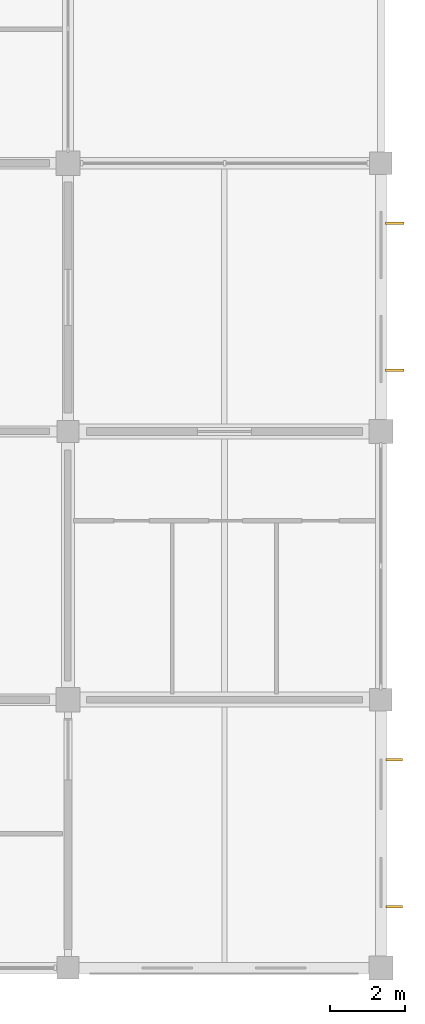
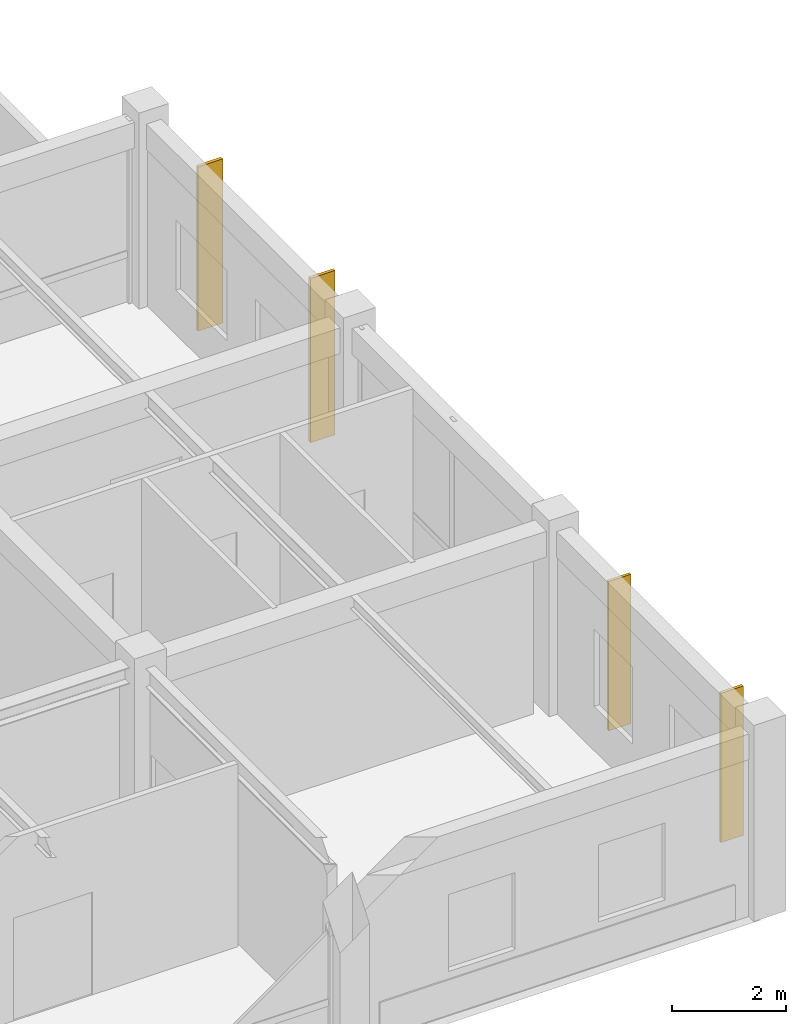
# One storey, part 13 of 13: 4 shading devices.
"""IFC4 building model written with IfcOpenShell, lengths in metres."""

from ifc_helpers import new_model, si_unit, derived_unit, direction, frame, origin, origin_2d, place, context, subcontext, project, spatial, rectangle, extrude, material, layer, layer_set, type_object, element, save


model = new_model("IFC4")

# Units and contexts
model_context = context("Model", 3, precision=1e-05, world=origin(), true_north=direction((0.0, 1.0)))
body_context = subcontext(model_context, "Body", "Model", "MODEL_VIEW")
ifc_project = project(units=[si_unit("LENGTHUNIT", "METRE"), si_unit("AREAUNIT", "SQUARE_METRE"), si_unit("VOLUMEUNIT", "CUBIC_METRE"), si_unit("PLANEANGLEUNIT", "RADIAN"), si_unit("MASSUNIT", "GRAM", prefix="KILO"), derived_unit("THERMALTRANSMITTANCEUNIT", [(si_unit("MASSUNIT", "GRAM", prefix="KILO"), 1), (si_unit("TIMEUNIT", "SECOND"), -3), (si_unit("THERMODYNAMICTEMPERATUREUNIT", "KELVIN"), -1)])], contexts=[model_context])

# Site, building, storey
site_placement = place(None, origin())
site = spatial("IfcSite", under=ifc_project, at=site_placement, CompositionType="ELEMENT")
building_placement = place(site_placement, origin())
building = spatial("IfcBuilding", under=site, at=building_placement, Name="Veldstrom Oceanarium and Marine Research Institute", CompositionType="ELEMENT")
storey_placement = place(building_placement, frame((0.0, 0.0, 52.199951171875)))
storey = spatial("IfcBuildingStorey", under=building, at=storey_placement, Name="L11", CompositionType="ELEMENT", Elevation=52.199951171875)

# Shading devices
ifc_material_1 = material(Name="Precast Terracotta Brise-Soleil Louvre", Category="masonry")
ifc_layer_1 = layer(ifc_material_1, 3.199951171875)
ifc_layer_set_1 = layer_set([ifc_layer_1], Name="ARC-SHD-BS02")
shading_device_type_1 = type_object("IfcShadingDeviceType", Name="ARC-SHD-BS02", PredefinedType="JALOUSIE", material=ifc_layer_set_1)
for number, where, z_axis, x_axis, name in (
    (1, (117.955078125, 44.840087890625, 0.35986328125), (0.0, 0.0, 1.0), (1.0, 0.0, 0.0), "Terracotta Brise-Soleil Louvre L11-153"),
    (2, (117.955078125, 48.784912109375, 0.35986328125), (0.0, 0.0, 1.0), (1.0, 0.0, 0.0), "Terracotta Brise-Soleil Louvre L11-153"),
):
    element("IfcShadingDevice", number, at=place(storey_placement, frame(where, z_axis=z_axis, x_axis=x_axis)), inside=storey, type_object=shading_device_type_1, Name=name, PredefinedType="JALOUSIE", context=body_context, shape_type="SweptSolid", body=[
        extrude(rectangle(XDim=0.449951171875, YDim=0.06005859375, at=origin_2d()), origin(), (0.0, 0.0, 1.0), 3.199951171875),
    ])
ifc_material_2 = material(Name="Precast Terracotta Brise-Soleil Louvre", Category="masonry")
ifc_layer_2 = layer(ifc_material_2, 4.199951171875)
ifc_layer_set_2 = layer_set([ifc_layer_2], Name="ARC-SHD-BS03")
shading_device_type_2 = type_object("IfcShadingDeviceType", Name="ARC-SHD-BS03", PredefinedType="JALOUSIE", material=ifc_layer_set_2)
for number, where, z_axis, x_axis, name in (
    (3, (117.969970703125, 59.239990234375, 0.199951171875), (0.0, 0.0, 1.0), (1.0, 0.0, 0.0), "Terracotta Brise-Soleil Louvre L11-154"),
    (4, (117.969970703125, 63.18505859375, 0.199951171875), (0.0, 0.0, 1.0), (1.0, 0.0, 0.0), "Terracotta Brise-Soleil Louvre L11-154"),
):
    element("IfcShadingDevice", number, at=place(storey_placement, frame(where, z_axis=z_axis, x_axis=x_axis)), inside=storey, type_object=shading_device_type_2, Name=name, PredefinedType="JALOUSIE", context=body_context, shape_type="SweptSolid", body=[
        extrude(rectangle(XDim=0.5, YDim=0.06494140625, at=origin_2d()), origin(), (0.0, 0.0, 1.0), 3.52001953125),
    ])

save(model, "model.ifc")
